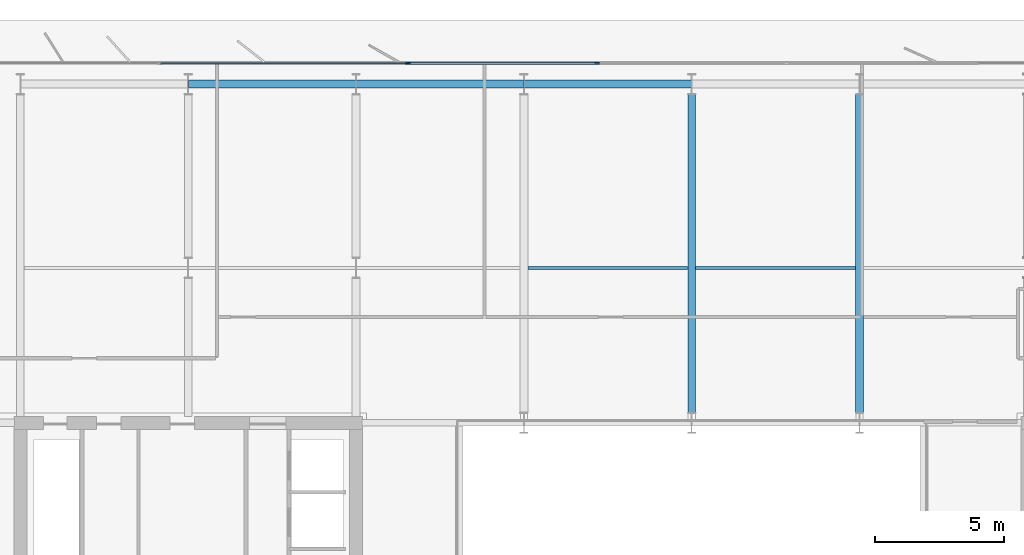
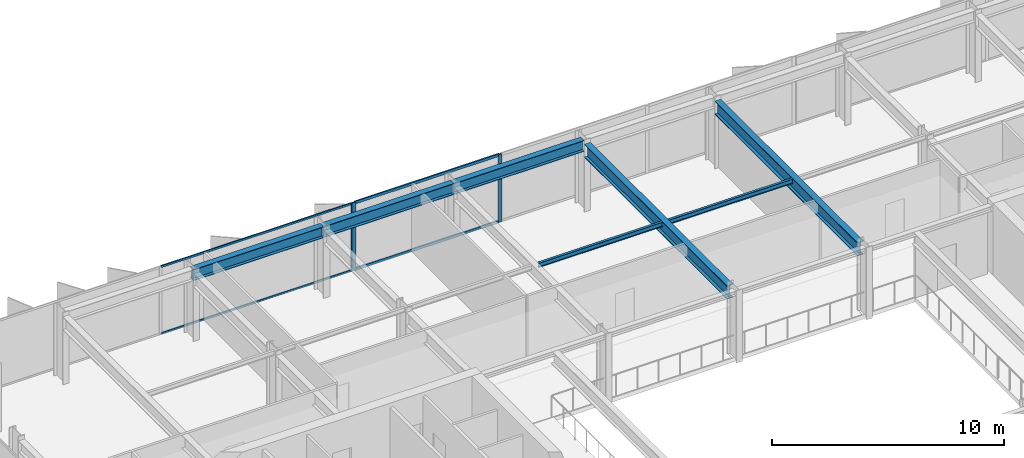
# One storey, part 11 of 23: 7 beams, 7 members, 2 elements without a shape of their own.
"""IFC4 building model written with IfcOpenShell, lengths in metres."""

from ifc_helpers import new_model, si_unit, direction, frame, origin, origin_2d, place, context, subcontext, project, spatial, rectangle, i_section, extrude, material, layer, layer_set, material_profile, profile_set, type_object, element, aggregate, save


model = new_model("IFC4")

# Units and contexts
model_context = context("Model", 3, precision=1e-05, world=origin(), true_north=direction((0.0, 1.0)))
body_context = subcontext(model_context, "Body", "Model", "MODEL_VIEW")
ifc_project = project(units=[si_unit("LENGTHUNIT", "METRE"), si_unit("AREAUNIT", "SQUARE_METRE"), si_unit("VOLUMEUNIT", "CUBIC_METRE"), si_unit("PLANEANGLEUNIT", "RADIAN"), si_unit("MASSUNIT", "GRAM", prefix="KILO")], contexts=[model_context])

# Site, building, storey
site_placement = place(None, origin())
site = spatial("IfcSite", under=ifc_project, at=site_placement, CompositionType="ELEMENT")
building_placement = place(site_placement, origin())
building = spatial("IfcBuilding", under=site, at=building_placement, Name="Putna Gate Headquarters", CompositionType="ELEMENT")
storey_placement = place(building_placement, frame((0.0, 0.0, 202.39990234375)))
storey = spatial("IfcBuildingStorey", under=building, at=storey_placement, Name="L50", CompositionType="ELEMENT", Elevation=202.39990234375)

# Beams
ifc_material_1 = material(Name="Steel S355J2", Category="steel")
ifc_material_profile_1 = material_profile(ifc_material_1, i_section(OverallWidth=0.300048828125, OverallDepth=0.699951171875, WebThickness=0.01708984375, FlangeThickness=0.031982421875, at=origin_2d()), Name="Steel S355J2")
ifc_profile_set_1 = profile_set([ifc_material_profile_1], Name="Steel S355J2")
beam_type_1 = type_object("IfcBeamType", Name="BM-GIRD-B-HEB700", PredefinedType="USERDEFINED", material=ifc_profile_set_1)
for number, where, z_axis, x_axis, name in (
    (1, (39.0, 33.39501953125, 3.22998046875), (0.0, 1.0, 0.0), (-1.0, 0.0, 0.0), "L50 North Primary Girder X39"),
    (2, (45.5, 33.39501953125, 3.22998046875), (0.0, 1.0, 0.0), (-1.0, 0.0, 0.0), "L50 North Primary Girder X45"),
):
    element("IfcBeam", number, at=place(storey_placement, frame(where, z_axis=z_axis, x_axis=x_axis)), inside=storey, type_object=beam_type_1, Name=name, ObjectType="GIRDER", PredefinedType="USERDEFINED", context=body_context, shape_type="SweptSolid", body=[
        extrude(i_section(OverallWidth=0.300048828125, OverallDepth=0.699951171875, WebThickness=0.01708984375, FlangeThickness=0.031982421875, at=origin_2d()), origin(), (0.0, 0.0, 1.0), 12.330078125),
    ])
ifc_material_profile_2 = material_profile(ifc_material_1, i_section(OverallWidth=0.1201171875, OverallDepth=0.239990234375, WebThickness=0.006103515625, FlangeThickness=0.009765625, at=origin_2d()), Name="Steel S355J2")
ifc_profile_set_2 = profile_set([ifc_material_profile_2], Name="Steel S355J2")
beam_type_2 = type_object("IfcBeamType", Name="BM-SEC-Z4-IPE240", PredefinedType="JOIST", material=ifc_profile_set_2)
for number, where, z_axis, x_axis, name in (
    (3, (32.654052734375, 39.0, 3.460205078125), (1.0, 0.0, 0.0), (0.0, 1.0, 0.0), "L50 North Secondary Beam 4"),
    (4, (39.154052734375, 39.0, 3.460205078125), (1.0, 0.0, 0.0), (0.0, 1.0, 0.0), "L50 North Secondary Beam 5"),
):
    element("IfcBeam", number, at=place(storey_placement, frame(where, z_axis=z_axis, x_axis=x_axis)), inside=storey, type_object=beam_type_2, Name=name, PredefinedType="JOIST", context=body_context, shape_type="SweptSolid", body=[
        extrude(i_section(OverallWidth=0.1201171875, OverallDepth=0.239990234375, WebThickness=0.006103515625, FlangeThickness=0.009765625, at=origin_2d()), origin(), (0.0, 0.0, 1.0), 6.19189453125),
    ])
ifc_material_profile_3 = material_profile(ifc_material_1, i_section(OverallWidth=0.300048828125, OverallDepth=0.590087890625, WebThickness=0.012939453125, FlangeThickness=0.02490234375, at=origin_2d()), Name="Steel S355J2")
ifc_profile_set_3 = profile_set([ifc_material_profile_3], Name="Steel S355J2")
beam_type_3 = type_object("IfcBeamType", Name="BM-SPAN-Z4-HEA600", PredefinedType="SPANDREL", material=ifc_profile_set_3)
for number, where, z_axis, x_axis, name in (
    (5, (19.506103515625, 46.1201171875, 3.28515625), (1.0, 0.0, 0.0), (0.0, 1.0, 0.0), "L50 N Perimeter Spandrel 2"),
    (6, (26.006103515625, 46.1201171875, 3.28515625), (1.0, 0.0, 0.0), (0.0, 1.0, 0.0), "L50 N Perimeter Spandrel 3"),
    (7, (32.506103515625, 46.1201171875, 3.28515625), (1.0, 0.0, 0.0), (0.0, 1.0, 0.0), "L50 N Perimeter Spandrel 4"),
):
    element("IfcBeam", number, at=place(storey_placement, frame(where, z_axis=z_axis, x_axis=x_axis)), inside=storey, type_object=beam_type_3, Name=name, PredefinedType="SPANDREL", context=body_context, shape_type="SweptSolid", body=[
        extrude(i_section(OverallWidth=0.300048828125, OverallDepth=0.590087890625, WebThickness=0.012939453125, FlangeThickness=0.02490234375, at=origin_2d()), origin(), (0.0, 0.0, 1.0), 6.48779296875),
    ])

# Curtain wall, member
ifc_material_2 = material(Name="Anodised bronze aluminium curtain wall", Category="aluminium")
ifc_layer_1 = layer(ifc_material_2, 0.139892578125)
ifc_layer_set_1 = layer_set([ifc_layer_1], Name="Anodised bronze aluminium curtain wall")
curtain_wall_type_1 = type_object("IfcCurtainWallType", Name="CW-SYS-Z4", PredefinedType="USERDEFINED", material=ifc_layer_set_1)
curtain_wall_1_placement = place(storey_placement, origin())
curtain_wall_1 = element("IfcCurtainWall", 8, at=curtain_wall_1_placement, inside=storey, type_object=curtain_wall_type_1, Name="L50 North West Curtain Wall", ObjectType="STICK CURTAIN WALL", PredefinedType="USERDEFINED")
ifc_material_3 = material(Name="Anodised bronze aluminium EN AW-6060", Category="aluminium")
ifc_material_profile_4 = material_profile(ifc_material_3, rectangle(XDim=0.06005859375, YDim=0.139892578125, at=origin_2d()), Name="Anodised bronze aluminium EN AW-6060")
ifc_profile_set_4 = profile_set([ifc_material_profile_4], Name="Anodised bronze aluminium EN AW-6060")
member_type_1 = type_object("IfcMemberType", Name="MULL-CWM-4", PredefinedType="MULLION", material=ifc_profile_set_4)
member_1_placement = place(storey_placement, frame((27.969970703125, 46.919921875, 0.0), z_axis=(0.0, 0.0, 1.0), x_axis=(0.0, 1.0, 0.0)))
member_1 = element("IfcMember", 9, at=member_1_placement, type_object=member_type_1, Name="CWS-4 mullion 3", PredefinedType="MULLION", context=body_context, shape_type="SweptSolid", body=[
    extrude(rectangle(XDim=0.06005859375, YDim=0.139892578125, at=origin_2d()), origin(), (0.0, 0.0, 1.0), 3.580078125),
])

# Curtain wall, members
ifc_layer_2 = layer(ifc_material_2, 0.179931640625)
ifc_layer_set_2 = layer_set([ifc_layer_2], Name="Anodised bronze aluminium curtain wall")
curtain_wall_type_2 = type_object("IfcCurtainWallType", Name="CW-SYS-ATR", PredefinedType="USERDEFINED", material=ifc_layer_set_2)
curtain_wall_2_placement = place(storey_placement, origin())
curtain_wall_2 = element("IfcCurtainWall", 10, at=curtain_wall_2_placement, inside=storey, type_object=curtain_wall_type_2, Name="L50 North Atrium Clear Glazing", ObjectType="ATRIUM GLAZING", PredefinedType="USERDEFINED")
ifc_material_profile_5 = material_profile(ifc_material_3, rectangle(XDim=0.070068359375, YDim=0.179931640625, at=origin_2d()), Name="Anodised bronze aluminium EN AW-6060")
ifc_profile_set_5 = profile_set([ifc_material_profile_5], Name="Anodised bronze aluminium EN AW-6060")
member_type_2 = type_object("IfcMemberType", Name="MULL-CWM-AT", PredefinedType="MULLION", material=ifc_profile_set_5)
member_2_placement = place(storey_placement, frame((28.034912109375, 46.919921875, 0.0), z_axis=(0.0, 0.0, 1.0), x_axis=(0.0, 1.0, 0.0)))
member_2 = element("IfcMember", 11, at=member_2_placement, type_object=member_type_2, Name="CWS-AT mullion 1", PredefinedType="MULLION", context=body_context, shape_type="SweptSolid", body=[
    extrude(rectangle(XDim=0.070068359375, YDim=0.179931640625, at=origin_2d()), origin(), (0.0, 0.0, 1.0), 3.580078125),
])
member_3_placement = place(storey_placement, frame((35.333251953125, 46.919921875, 0.0), z_axis=(0.0, 0.0, 1.0), x_axis=(0.0, 1.0, 0.0)))
member_3 = element("IfcMember", 12, at=member_3_placement, type_object=member_type_2, Name="CWS-AT mullion 2", PredefinedType="MULLION", context=body_context, shape_type="SweptSolid", body=[
    extrude(rectangle(XDim=0.070068359375, YDim=0.179931640625, at=origin_2d()), origin(), (0.0, 0.0, 1.0), 3.580078125),
])

# Member
ifc_material_profile_6 = material_profile(ifc_material_3, rectangle(XDim=0.06005859375, YDim=0.10009765625, at=origin_2d()), Name="Anodised bronze aluminium EN AW-6060")
ifc_profile_set_6 = profile_set([ifc_material_profile_6], Name="Anodised bronze aluminium EN AW-6060")
member_type_3 = type_object("IfcMemberType", Name="TRAN-CWT-4", PredefinedType="USERDEFINED", material=ifc_profile_set_6)
member_4_placement = place(storey_placement, frame((18.429931640625, 46.919921875, 0.030029296875), z_axis=(1.0, 0.0, 0.0), x_axis=(0.0, 1.0, 0.0)))
member_4 = element("IfcMember", 13, at=member_4_placement, type_object=member_type_3, Name="CWS-4 transom 2.1", ObjectType="TRANSOM", PredefinedType="USERDEFINED", context=body_context, shape_type="SweptSolid", body=[
    extrude(rectangle(XDim=0.06005859375, YDim=0.10009765625, at=origin_2d()), origin(), (0.0, 0.0, 1.0), 9.510009765625),
])

member_5_placement = place(storey_placement, frame((18.429931640625, 46.919921875, 3.550048828125), z_axis=(1.0, 0.0, 0.0), x_axis=(0.0, 1.0, 0.0)))
member_5 = element("IfcMember", 14, at=member_5_placement, type_object=member_type_3, Name="CWS-4 transom 2.2", ObjectType="TRANSOM", PredefinedType="USERDEFINED", context=body_context, shape_type="SweptSolid", body=[
    extrude(rectangle(XDim=0.06005859375, YDim=0.10009765625, at=origin_2d()), origin(), (0.0, 0.0, 1.0), 9.510009765625),
])

aggregate(curtain_wall_1, [member_1, member_4, member_5])

ifc_material_profile_7 = material_profile(ifc_material_3, rectangle(XDim=0.070068359375, YDim=0.139892578125, at=origin_2d()), Name="Anodised bronze aluminium EN AW-6060")
ifc_profile_set_7 = profile_set([ifc_material_profile_7], Name="Anodised bronze aluminium EN AW-6060")
member_type_4 = type_object("IfcMemberType", Name="TRAN-CWT-AT", PredefinedType="USERDEFINED", material=ifc_profile_set_7)
member_6_placement = place(storey_placement, frame((28.070068359375, 46.919921875, 0.03515625), z_axis=(1.0, 0.0, 0.0), x_axis=(0.0, 1.0, 0.0)))
member_6 = element("IfcMember", 15, at=member_6_placement, type_object=member_type_4, Name="CWS-AT transom 1.1", ObjectType="TRANSOM", PredefinedType="USERDEFINED", context=body_context, shape_type="SweptSolid", body=[
    extrude(rectangle(XDim=0.070068359375, YDim=0.139892578125, at=origin_2d()), origin(), (0.0, 0.0, 1.0), 7.228271484375),
])

member_7_placement = place(storey_placement, frame((28.070068359375, 46.919921875, 3.545166015625), z_axis=(1.0, 0.0, 0.0), x_axis=(0.0, 1.0, 0.0)))
member_7 = element("IfcMember", 16, at=member_7_placement, type_object=member_type_4, Name="CWS-AT transom 1.2", ObjectType="TRANSOM", PredefinedType="USERDEFINED", context=body_context, shape_type="SweptSolid", body=[
    extrude(rectangle(XDim=0.070068359375, YDim=0.139892578125, at=origin_2d()), origin(), (0.0, 0.0, 1.0), 7.228271484375),
])

aggregate(curtain_wall_2, [member_2, member_3, member_6, member_7])

save(model, "model.ifc")
